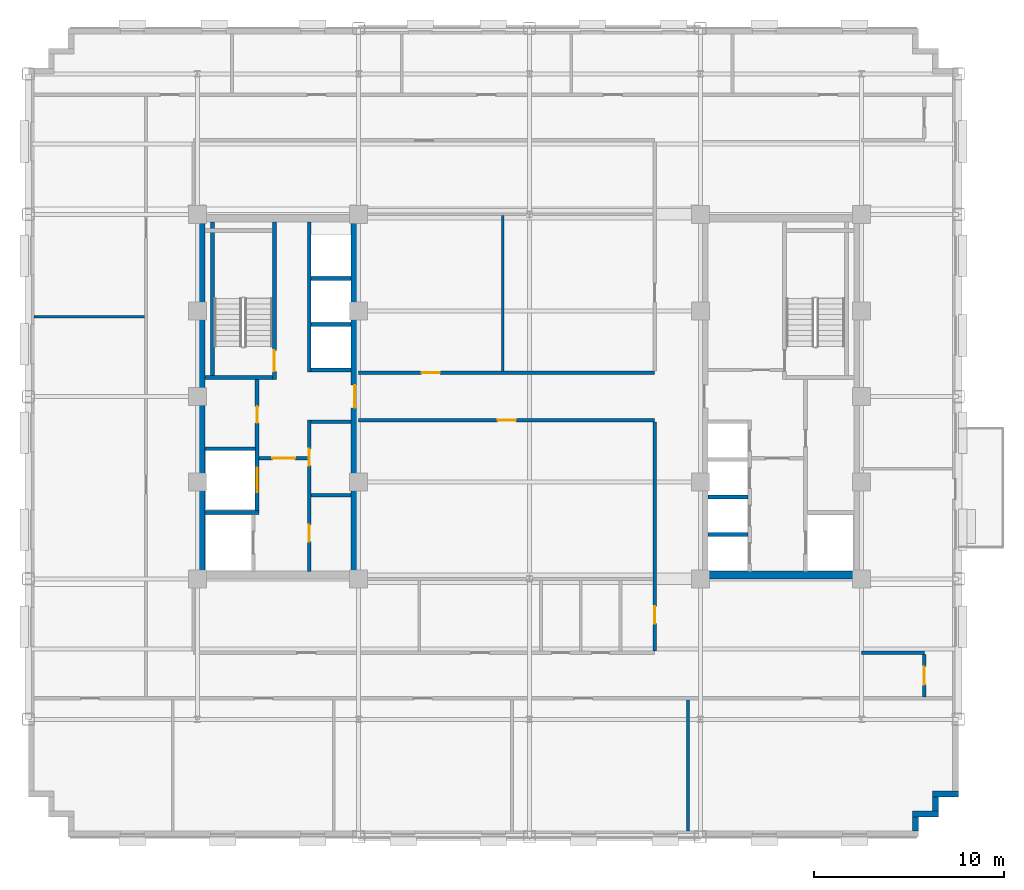
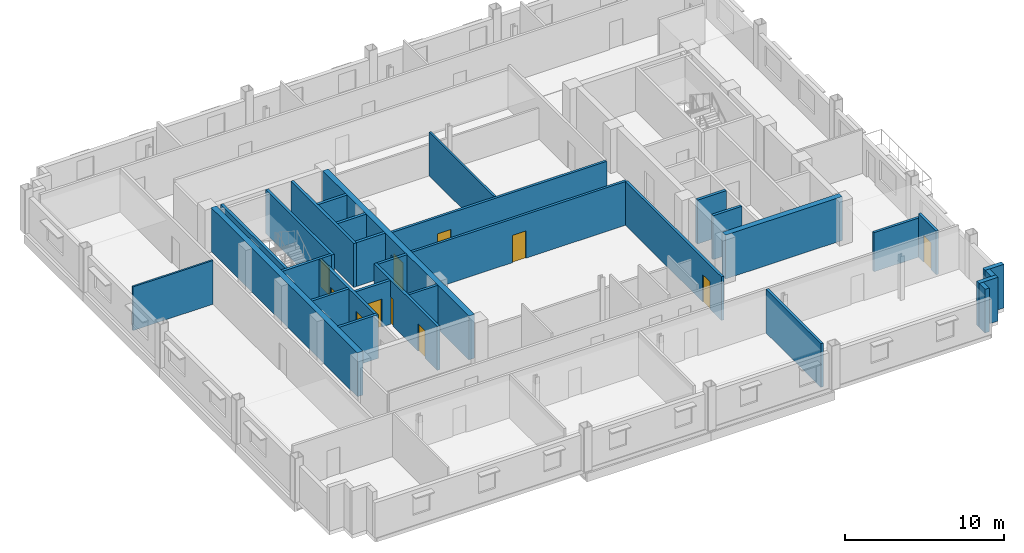
# One storey, part 8 of 14: 31 walls, 11 doors, 11 openings.
"""IFC4 building model written with IfcOpenShell, lengths in metres."""

from ifc_helpers import new_model, si_unit, direction, frame, frame_2d, origin, place, context, subcontext, project, spatial, rectangle, extrude, source, transform, mapped, material, layer, layer_set, type_object, type_shapes, element, fill, save


model = new_model("IFC4")

# Units and contexts
model_context = context("Model", 3, precision=1e-05, world=origin(), true_north=direction((0.0, 1.0)))
body_context = subcontext(model_context, "Body", "Model", "MODEL_VIEW")
ifc_project = project(units=[si_unit("LENGTHUNIT", "METRE"), si_unit("AREAUNIT", "SQUARE_METRE"), si_unit("VOLUMEUNIT", "CUBIC_METRE"), si_unit("PLANEANGLEUNIT", "RADIAN"), si_unit("MASSUNIT", "GRAM", prefix="KILO")], contexts=[model_context])

# Site, building, storey
site_placement = place(None, origin())
site = spatial("IfcSite", under=ifc_project, at=site_placement, CompositionType="ELEMENT")
building_placement = place(site_placement, origin())
building = spatial("IfcBuilding", under=site, at=building_placement, Name="Nuvemarco Arch Tower", CompositionType="ELEMENT")
storey_placement = place(building_placement, frame((0.0, 0.0, 178.60009765625)))
storey = spatial("IfcBuildingStorey", under=building, at=storey_placement, Name="L47", CompositionType="ELEMENT", Elevation=178.60009765625)

# Walls
ifc_material_1 = material(Name="Precast concrete C45/55", Category="concrete")
ifc_layer_1 = layer(ifc_material_1, 0.31005859375, Name="EW-UPP-310")
ifc_layer_set_1 = layer_set([ifc_layer_1], Name="Precast concrete C45/55")
wall_type_1 = type_object("IfcWallType", Name="EW-UPP-310", PredefinedType="STANDARD", material=ifc_layer_set_1)
wall_1_placement = place(storey_placement, frame((20.344970703125, -22.89404296875, 0.0), z_axis=(0.0, 0.0, 1.0), x_axis=(0.0, 1.0, 0.0)))
element("IfcWall", 1, at=wall_1_placement, inside=storey, type_object=wall_type_1, Name="L47 exterior precast facade wall 2", PredefinedType="STANDARD", context=body_context, shape_type="SweptSolid", body=[
    extrude(rectangle(XDim=0.748046875, YDim=0.31005859375, at=frame_2d((0.3740234375, 0.0))), origin(), (0.0, 0.0, 1.0), 3.35986328125),
])
wall_2_placement = place(storey_placement, frame((20.18994140625, -21.9951171875, 0.0), z_axis=(0.0, 0.0, 1.0), x_axis=(1.0, 0.0, 0.0)))
element("IfcWall", 2, at=wall_2_placement, inside=storey, type_object=wall_type_1, Name="L47 exterior precast facade wall 3", PredefinedType="STANDARD", context=body_context, shape_type="SweptSolid", body=[
    extrude(rectangle(XDim=1.360107421875, YDim=0.31005859375, at=frame_2d((0.68017578125, 0.0))), origin(), (0.0, 0.0, 1.0), 3.35986328125),
])
wall_3_placement = place(storey_placement, frame((21.39501953125, -21.843994140625, 0.0), z_axis=(0.0, 0.0, 1.0), x_axis=(0.0, 1.0, 0.0)))
element("IfcWall", 3, at=wall_3_placement, inside=storey, type_object=wall_type_1, Name="L47 exterior precast facade wall 4", PredefinedType="STANDARD", context=body_context, shape_type="SweptSolid", body=[
    extrude(rectangle(XDim=0.748046875, YDim=0.31005859375, at=frame_2d((0.3740234375, 0.0))), origin(), (0.0, 0.0, 1.0), 3.35986328125),
])
wall_4_placement = place(storey_placement, frame((21.239990234375, -20.945068359375, 0.0), z_axis=(0.0, 0.0, 1.0), x_axis=(1.0, 0.0, 0.0)))
element("IfcWall", 4, at=wall_4_placement, inside=storey, type_object=wall_type_1, Name="L47 exterior precast facade wall 5", PredefinedType="STANDARD", context=body_context, shape_type="SweptSolid", body=[
    extrude(rectangle(XDim=1.360107421875, YDim=0.31005859375, at=frame_2d((0.68017578125, 0.0))), origin(), (0.0, 0.0, 1.0), 3.35986328125),
])
ifc_material_2 = material(Name="Concrete C60/75", Category="concrete")
ifc_layer_2 = layer(ifc_material_2, 0.39990234375, Name="WL-CORE-400")
ifc_layer_set_2 = layer_set([ifc_layer_2], Name="Concrete C60/75")
wall_type_2 = type_object("IfcWallType", Name="WL-CORE-400", PredefinedType="SHEAR", material=ifc_layer_set_2)
wall_5_placement = place(storey_placement, frame((-17.300048828125, -9.205078125, 0.0), z_axis=(0.0, 0.0, 1.0), x_axis=(0.0, 1.0, 0.0)))
element("IfcWall", 5, at=wall_5_placement, inside=storey, type_object=wall_type_2, Name="L47 W-core shear wall W", PredefinedType="SHEAR", context=body_context, shape_type="SweptSolid", body=[
    extrude(rectangle(XDim=18.41015625, YDim=0.39990234375, at=frame_2d((9.205078125, 0.0))), origin(), (0.0, 0.0, 1.0), 3.369873046875),
])

# Wall, opening, door
wall_6_placement = place(storey_placement, frame((-9.199951171875, -9.205078125, 0.0), z_axis=(0.0, 0.0, 1.0), x_axis=(0.0, 1.0, 0.0)))
wall_6 = element("IfcWall", 6, at=wall_6_placement, inside=storey, type_object=wall_type_2, Name="L47 W-core shear wall E", PredefinedType="SHEAR", context=body_context, shape_type="SweptSolid", body=[
    extrude(rectangle(XDim=18.41015625, YDim=0.39990234375, at=frame_2d((9.205078125, 0.0))), origin(), (0.0, 0.0, 1.0), 3.369873046875),
])
opening_1_placement = place(wall_6_placement, frame((8.60498046875, 0.0, 0.0)))
opening_1 = element("IfcOpeningElement", 7, at=opening_1_placement, cuts=wall_6, Name="Opening FD-2", PredefinedType="OPENING", context=body_context, shape_type="SweptSolid", body=[
    extrude(rectangle(XDim=1.199951171875, YDim=2.14990234375, at=frame_2d((0.60009765625, 1.074951171875))), frame((0.0, 0.2099609375, 0.0), z_axis=(0.0, -1.0, 0.0), x_axis=(1.0, 0.0, 0.0)), (0.0, 0.0, 1.0), 0.419921875),
])
ifc_material_3 = material(Name="Anodised steel fire door", Category="steel")
door_type_1 = type_object("IfcDoorType", Name="DR-FFLOB-FD", OperationType="NOTDEFINED", PredefinedType="DOOR", material=ifc_material_3)
shared_shape_1 = source(origin(), body_context, "Body", "SweptSolid", [
    extrude(rectangle(XDim=1.199951171875, YDim=2.14990234375, at=frame_2d((0.60009765625, 1.074951171875))), frame((0.0, 0.02490234375, 0.0), z_axis=(0.0, -1.0, 0.0), x_axis=(1.0, 0.0, 0.0)), (0.0, 0.0, 1.0), 0.050048828125),
])
type_shapes(door_type_1, [shared_shape_1])
door_1_placement = place(opening_1_placement, origin())
door_1 = element("IfcDoor", 8, at=door_1_placement, inside=storey, type_object=door_type_1, Name="L47 door FD-L47-WCORE-E", OperationType="SINGLE_SWING_LEFT", OverallHeight=2.14990234375, OverallWidth=1.199951171875, PredefinedType="DOOR", context=body_context, shape_type="MappedRepresentation", body=[
    mapped(shared_shape_1, transform((0.0, 0.0, 0.0), scale=1.0)),
])
fill(opening_1, door_1)

# Walls
wall_7_placement = place(storey_placement, frame((9.0, -9.39990234375, 0.0), z_axis=(0.0, 0.0, 1.0), x_axis=(1.0, 0.0, 0.0)))
element("IfcWall", 9, at=wall_7_placement, inside=storey, type_object=wall_type_2, Name="L47 E-core shear wall S", PredefinedType="SHEAR", context=body_context, shape_type="SweptSolid", body=[
    extrude(rectangle(XDim=8.5, YDim=0.39990234375, at=frame_2d((4.25, 0.0))), origin(), (0.0, 0.0, 1.0), 3.369873046875),
])
ifc_material_4 = material(Name="Fire-rated gypsum drywall partition")
ifc_layer_3 = layer(ifc_material_4, 0.179931640625, Name="WL-CORR-180")
ifc_layer_set_3 = layer_set([ifc_layer_3], Name="Fire-rated gypsum drywall partition")
wall_type_3 = type_object("IfcWallType", Name="WL-CORR-180", PredefinedType="PARTITIONING", material=ifc_layer_set_3)
wall_8_placement = place(storey_placement, frame((-11.5048828125, -5.199951171875, 0.0), z_axis=(0.0, 0.0, 1.0), x_axis=(1.0, 0.0, 0.0)))
element("IfcWall", 10, at=wall_8_placement, inside=storey, type_object=wall_type_3, Name="L47 interior wall IW-L47-W-RECK1", PredefinedType="PARTITIONING", context=body_context, shape_type="SweptSolid", body=[
    extrude(rectangle(XDim=2.10986328125, YDim=0.179931640625, at=frame_2d((1.054931640625, 0.0))), origin(), (0.0, 0.0, 1.0), 3.35986328125),
])
wall_9_placement = place(storey_placement, frame((17.5, -13.5, 0.0), z_axis=(0.0, 0.0, 1.0), x_axis=(1.0, 0.0, 0.0)))
element("IfcWall", 11, at=wall_9_placement, inside=storey, type_object=wall_type_3, Name="L47 interior wall IW-L47-003", PredefinedType="PARTITIONING", context=body_context, shape_type="SweptSolid", body=[
    extrude(rectangle(XDim=3.300048828125, YDim=0.179931640625, at=frame_2d((1.64990234375, 0.0))), origin(), (0.0, 0.0, 1.0), 3.0078125),
])

# Wall, opening, door
wall_10_placement = place(storey_placement, frame((-9.0, -1.25, 0.0), z_axis=(0.0, 0.0, 1.0), x_axis=(1.0, 0.0, 0.0)))
wall_10 = element("IfcWall", 12, at=wall_10_placement, inside=storey, type_object=wall_type_3, Name="L47 interior wall IW-L47-007", PredefinedType="PARTITIONING", context=body_context, shape_type="SweptSolid", body=[
    extrude(rectangle(XDim=15.60009765625, YDim=0.179931640625, at=frame_2d((7.800048828125, 0.0))), origin(), (0.0, 0.0, 1.0), 3.35986328125),
])
opening_2_placement = place(wall_10_placement, frame((7.320068359375, 0.0, 0.0)))
opening_2 = element("IfcOpeningElement", 13, at=opening_2_placement, cuts=wall_10, Name="Opening FD-5", PredefinedType="OPENING", context=body_context, shape_type="SweptSolid", body=[
    extrude(rectangle(XDim=0.9599609375, YDim=2.10009765625, at=frame_2d((0.47998046875, 1.050048828125))), frame((0.0, 0.099853515625, 0.0), z_axis=(0.0, -1.0, 0.0), x_axis=(1.0, 0.0, 0.0)), (0.0, 0.0, 1.0), 0.199951171875),
])
ifc_material_5 = material(Name="Timber fire door", Category="wood")
door_type_2 = type_object("IfcDoorType", Name="DR-CORR-FD", OperationType="NOTDEFINED", PredefinedType="DOOR", material=ifc_material_5)
shared_shape_2 = source(origin(), body_context, "Body", "SweptSolid", [
    extrude(rectangle(XDim=0.9599609375, YDim=2.10009765625, at=frame_2d((0.47998046875, 1.050048828125))), frame((0.0, 0.02490234375, 0.0), z_axis=(0.0, -1.0, 0.0), x_axis=(1.0, 0.0, 0.0)), (0.0, 0.0, 1.0), 0.050048828125),
])
type_shapes(door_type_2, [shared_shape_2])
door_2_placement = place(opening_2_placement, origin())
door_2 = element("IfcDoor", 14, at=door_2_placement, inside=storey, type_object=door_type_2, Name="L47 door DR-L47-C_S1", OperationType="SINGLE_SWING_RIGHT", OverallHeight=2.10009765625, OverallWidth=0.9599609375, PredefinedType="DOOR", context=body_context, shape_type="MappedRepresentation", body=[
    mapped(shared_shape_2, transform((0.0, 0.0, 0.0), scale=1.0)),
])
fill(opening_2, door_2)

wall_11_placement = place(storey_placement, frame((-9.0, 1.25, 0.0), z_axis=(0.0, 0.0, 1.0), x_axis=(1.0, 0.0, 0.0)))
wall_11 = element("IfcWall", 15, at=wall_11_placement, inside=storey, type_object=wall_type_3, Name="L47 interior wall IW-L47-008", PredefinedType="PARTITIONING", context=body_context, shape_type="SweptSolid", body=[
    extrude(rectangle(XDim=15.60009765625, YDim=0.179931640625, at=frame_2d((7.800048828125, 0.0))), origin(), (0.0, 0.0, 1.0), 3.35986328125),
])
opening_3_placement = place(wall_11_placement, frame((3.320068359375, 0.0, 0.0)))
opening_3 = element("IfcOpeningElement", 16, at=opening_3_placement, cuts=wall_11, Name="Opening FD-5", PredefinedType="OPENING", context=body_context, shape_type="SweptSolid", body=[
    extrude(rectangle(XDim=0.9599609375, YDim=2.10009765625, at=frame_2d((0.47998046875, 1.050048828125))), frame((0.0, 0.099853515625, 0.0), z_axis=(0.0, -1.0, 0.0), x_axis=(1.0, 0.0, 0.0)), (0.0, 0.0, 1.0), 0.199951171875),
])
door_3_placement = place(opening_3_placement, origin())
door_3 = element("IfcDoor", 17, at=door_3_placement, inside=storey, type_object=door_type_2, Name="L47 door DR-L47-C_N1", OperationType="SINGLE_SWING_LEFT", OverallHeight=2.10009765625, OverallWidth=0.9599609375, PredefinedType="DOOR", context=body_context, shape_type="MappedRepresentation", body=[
    mapped(shared_shape_2, transform((0.0, 0.0, 0.0), scale=1.0)),
])
fill(opening_3, door_3)

wall_12_placement = place(storey_placement, frame((6.60009765625, -13.4140625, 0.0), z_axis=(0.0, 0.0, 1.0), x_axis=(0.0, 1.0, 0.0)))
wall_12 = element("IfcWall", 18, at=wall_12_placement, inside=storey, type_object=wall_type_3, Name="L47 interior wall IW-L47-029", PredefinedType="PARTITIONING", context=body_context, shape_type="SweptSolid", body=[
    extrude(rectangle(XDim=12.078125, YDim=0.179931640625, at=frame_2d((6.0390625, 0.0))), origin(), (0.0, 0.0, 1.0), 3.35986328125),
])
opening_4_placement = place(wall_12_placement, frame((1.45703125, 0.0, 0.0)))
opening_4 = element("IfcOpeningElement", 19, at=opening_4_placement, cuts=wall_12, Name="Opening ID-3", PredefinedType="OPENING", context=body_context, shape_type="SweptSolid", body=[
    extrude(rectangle(XDim=0.89990234375, YDim=2.10009765625, at=frame_2d((0.449951171875, 1.050048828125))), frame((0.0, 0.099853515625, 0.0), z_axis=(0.0, -1.0, 0.0), x_axis=(1.0, 0.0, 0.0)), (0.0, 0.0, 1.0), 0.199951171875),
])
ifc_material_6 = material(Name="Veneered oak timber fire door", Category="wood")
door_type_3 = type_object("IfcDoorType", Name="DR-WC-ACC", OperationType="NOTDEFINED", PredefinedType="DOOR", material=ifc_material_6)
shared_shape_3 = source(origin(), body_context, "Body", "SweptSolid", [
    extrude(rectangle(XDim=0.89990234375, YDim=2.10009765625, at=frame_2d((0.449951171875, 1.050048828125))), frame((0.0, 0.02490234375, 0.0), z_axis=(0.0, -1.0, 0.0), x_axis=(1.0, 0.0, 0.0)), (0.0, 0.0, 1.0), 0.050048828125),
])
type_shapes(door_type_3, [shared_shape_3])
door_4_placement = place(opening_4_placement, origin())
door_4 = element("IfcDoor", 20, at=door_4_placement, inside=storey, type_object=door_type_3, Name="L47 door DR-L47-WC_ACC", OperationType="SINGLE_SWING_RIGHT", OverallHeight=2.10009765625, OverallWidth=0.89990234375, PredefinedType="DOOR", context=body_context, shape_type="MappedRepresentation", body=[
    mapped(shared_shape_3, transform((0.0, 0.0, 0.0), scale=1.0)),
])
fill(opening_4, door_4)

# Wall
wall_13_placement = place(storey_placement, frame((8.35009765625, -22.889892578125, 0.0), z_axis=(0.0, 0.0, 1.0), x_axis=(0.0, 1.0, 0.0)))
element("IfcWall", 21, at=wall_13_placement, inside=storey, type_object=wall_type_3, Name="L47 interior wall IW-L47-031", PredefinedType="PARTITIONING", context=body_context, shape_type="SweptSolid", body=[
    extrude(rectangle(XDim=6.90380859375, YDim=0.179931640625, at=frame_2d((3.451904296875, 0.0))), origin(), (0.0, 0.0, 1.0), 3.35986328125),
])

# Wall, opening, door
wall_14_placement = place(storey_placement, frame((20.800048828125, -15.81396484375, 0.0), z_axis=(0.0, 0.0, 1.0), x_axis=(0.0, 1.0, 0.0)))
wall_14 = element("IfcWall", 22, at=wall_14_placement, inside=storey, type_object=wall_type_3, Name="L47 interior wall IW-L47-033", PredefinedType="PARTITIONING", context=body_context, shape_type="SweptSolid", body=[
    extrude(rectangle(XDim=2.22802734375, YDim=0.179931640625, at=frame_2d((1.114013671875, 0.0))), origin(), (0.0, 0.0, 1.0), 3.35986328125),
])
opening_5_placement = place(wall_14_placement, frame((0.634033203125, 0.0, 0.0)))
opening_5 = element("IfcOpeningElement", 23, at=opening_5_placement, cuts=wall_14, Name="Opening FD-5", PredefinedType="OPENING", context=body_context, shape_type="SweptSolid", body=[
    extrude(rectangle(XDim=0.9599609375, YDim=2.10009765625, at=frame_2d((0.47998046875, 1.050048828125))), frame((0.0, 0.099853515625, 0.0), z_axis=(0.0, -1.0, 0.0), x_axis=(1.0, 0.0, 0.0)), (0.0, 0.0, 1.0), 0.199951171875),
])
door_5_placement = place(opening_5_placement, origin())
door_5 = element("IfcDoor", 24, at=door_5_placement, inside=storey, type_object=door_type_2, Name="L47 door DR-L47-E_1", OperationType="SINGLE_SWING_RIGHT", OverallHeight=2.10009765625, OverallWidth=0.9599609375, PredefinedType="DOOR", context=body_context, shape_type="MappedRepresentation", body=[
    mapped(shared_shape_2, transform((0.0, 0.0, 0.0), scale=1.0)),
])
fill(opening_5, door_5)

# Walls
ifc_material_7 = material(Name="Glazed acoustic office partition")
ifc_layer_4 = layer(ifc_material_7, 0.1298828125, Name="WL-EXEC-130")
ifc_layer_set_4 = layer_set([ifc_layer_4], Name="Glazed acoustic office partition")
wall_type_4 = type_object("IfcWallType", Name="WL-EXEC-130", PredefinedType="PARTITIONING", material=ifc_layer_set_4)
wall_15_placement = place(storey_placement, frame((-26.090087890625, 4.199951171875, 0.0), z_axis=(0.0, 0.0, 1.0), x_axis=(1.0, 0.0, 0.0)))
element("IfcWall", 25, at=wall_15_placement, inside=storey, type_object=wall_type_4, Name="L47 interior wall IW-L47-009", PredefinedType="PARTITIONING", context=body_context, shape_type="SweptSolid", body=[
    extrude(rectangle(XDim=5.80419921875, YDim=0.1298828125, at=frame_2d((2.902099609375, 0.0))), origin(), (0.0, 0.0, 1.0), 3.35986328125),
])
ifc_material_8 = material(Name="Gypsum plasterboard partition")
ifc_layer_5 = layer(ifc_material_8, 0.139892578125, Name="WL-ROOM-140")
ifc_layer_set_5 = layer_set([ifc_layer_5], Name="Gypsum plasterboard partition")
wall_type_5 = type_object("IfcWallType", Name="WL-ROOM-140", PredefinedType="PARTITIONING", material=ifc_layer_set_5)
wall_16_placement = place(storey_placement, frame((-1.39990234375, 1.3359375, 0.0), z_axis=(0.0, 0.0, 1.0), x_axis=(0.0, 1.0, 0.0)))
element("IfcWall", 26, at=wall_16_placement, inside=storey, type_object=wall_type_5, Name="L47 interior wall IW-L47-023", PredefinedType="PARTITIONING", context=body_context, shape_type="SweptSolid", body=[
    extrude(rectangle(XDim=8.197998046875, YDim=0.139892578125, at=frame_2d((4.09912109375, 0.0))), origin(), (0.0, 0.0, 1.0), 3.35986328125),
])

# Wall, opening, door
ifc_material_9 = material(Name="Concrete C50/60", Category="concrete")
ifc_layer_6 = layer(ifc_material_9, 0.199951171875, Name="WL-SHAFT-220")
ifc_layer_set_6 = layer_set([ifc_layer_6], Name="Concrete C50/60")
wall_type_6 = type_object("IfcWallType", Name="WL-SHAFT-220", PredefinedType="SHEAR", material=ifc_layer_set_6)
wall_17_placement = place(storey_placement, frame((-13.43994140625, 0.89990234375, 0.0), z_axis=(0.0, 0.0, 1.0), x_axis=(0.0, 1.0, 0.0)))
wall_17 = element("IfcWall", 27, at=wall_17_placement, inside=storey, type_object=wall_type_6, Name="L47 structural shaft wall SW-L47-W-ST1E", PredefinedType="SHEAR", context=body_context, shape_type="SweptSolid", body=[
    extrude(rectangle(XDim=8.30517578125, YDim=0.199951171875, at=frame_2d((4.152587890625, 0.0))), origin(), (0.0, 0.0, 1.0), 3.369873046875),
])
opening_6_placement = place(wall_17_placement, frame((1.530029296875, 0.0, 0.0), z_axis=(0.0, 0.0, 1.0), x_axis=(-1.0, 0.0, 0.0)))
opening_6 = element("IfcOpeningElement", 28, at=opening_6_placement, cuts=wall_17, Name="Opening FD-1", PredefinedType="OPENING", context=body_context, shape_type="SweptSolid", body=[
    extrude(rectangle(XDim=1.10009765625, YDim=2.14990234375, at=frame_2d((0.550048828125, 1.074951171875))), frame((0.0, 0.10986328125, 0.0), z_axis=(0.0, -1.0, 0.0), x_axis=(1.0, 0.0, 0.0)), (0.0, 0.0, 1.0), 0.219970703125),
])
door_type_4 = type_object("IfcDoorType", Name="DR-STAIR-FD", OperationType="NOTDEFINED", PredefinedType="DOOR", material=ifc_material_3)
shared_shape_4 = source(origin(), body_context, "Body", "SweptSolid", [
    extrude(rectangle(XDim=1.10009765625, YDim=2.14990234375, at=frame_2d((0.550048828125, 1.074951171875))), frame((0.0, 0.02490234375, 0.0), z_axis=(0.0, -1.0, 0.0), x_axis=(1.0, 0.0, 0.0)), (0.0, 0.0, 1.0), 0.050048828125),
])
type_shapes(door_type_4, [shared_shape_4])
door_6_placement = place(opening_6_placement, origin())
door_6 = element("IfcDoor", 29, at=door_6_placement, inside=storey, type_object=door_type_4, Name="L47 door FD-L47-ST1", OperationType="SINGLE_SWING_LEFT", OverallHeight=2.14990234375, OverallWidth=1.10009765625, PredefinedType="DOOR", context=body_context, shape_type="MappedRepresentation", body=[
    mapped(shared_shape_4, transform((0.0, 0.0, 0.0), scale=1.0)),
])
fill(opening_6, door_6)

# Walls
wall_18_placement = place(storey_placement, frame((-17.10498046875, 1.0, 0.0), z_axis=(0.0, 0.0, 1.0), x_axis=(1.0, 0.0, 0.0)))
element("IfcWall", 30, at=wall_18_placement, inside=storey, type_object=wall_type_6, Name="L47 structural shaft wall SW-L47-W-ST1S", PredefinedType="SHEAR", context=body_context, shape_type="SweptSolid", body=[
    extrude(rectangle(XDim=3.570068359375, YDim=0.199951171875, at=frame_2d((1.78515625, 0.0))), origin(), (0.0, 0.0, 1.0), 3.369873046875),
])
wall_19_placement = place(storey_placement, frame((-16.699951171875, 1.094970703125, 0.0), z_axis=(0.0, 0.0, 1.0), x_axis=(0.0, 1.0, 0.0)))
element("IfcWall", 31, at=wall_19_placement, inside=storey, type_object=wall_type_6, Name="L47 structural shaft wall SW-L47-W-ST1W", PredefinedType="SHEAR", context=body_context, shape_type="SweptSolid", body=[
    extrude(rectangle(XDim=8.110107421875, YDim=0.199951171875, at=frame_2d((4.05517578125, 0.0))), origin(), (0.0, 0.0, 1.0), 3.369873046875),
])

# Wall, openings, doors
wall_20_placement = place(storey_placement, frame((-14.35009765625, -6.199951171875, 0.0), z_axis=(0.0, 0.0, 1.0), x_axis=(0.0, 1.0, 0.0)))
wall_20 = element("IfcWall", 32, at=wall_20_placement, inside=storey, type_object=wall_type_6, Name="L47 structural shaft wall SW-L47-W-SVE", PredefinedType="SHEAR", context=body_context, shape_type="SweptSolid", body=[
    extrude(rectangle(XDim=7.10498046875, YDim=0.199951171875, at=frame_2d((3.552490234375, 0.0))), origin(), (0.0, 0.0, 1.0), 3.369873046875),
])
opening_7_placement = place(wall_20_placement, frame((5.68994140625, 0.0, 0.0), z_axis=(0.0, 0.0, 1.0), x_axis=(-1.0, 0.0, 0.0)))
opening_7 = element("IfcOpeningElement", 33, at=opening_7_placement, cuts=wall_20, Name="Opening FD-4", PredefinedType="OPENING", context=body_context, shape_type="SweptSolid", body=[
    extrude(rectangle(XDim=0.8798828125, YDim=2.10009765625, at=frame_2d((0.43994140625, 1.050048828125))), frame((0.0, 0.10986328125, 0.0), z_axis=(0.0, -1.0, 0.0), x_axis=(1.0, 0.0, 0.0)), (0.0, 0.0, 1.0), 0.219970703125),
])
opening_8_placement = place(wall_20_placement, frame((1.14990234375, 0.0, 0.0)))
opening_8 = element("IfcOpeningElement", 34, at=opening_8_placement, cuts=wall_20, Name="Opening LD-3", PredefinedType="OPENING", context=body_context, shape_type="SweptSolid", body=[
    extrude(rectangle(XDim=1.300048828125, YDim=2.199951171875, at=frame_2d((0.64990234375, 1.10009765625))), frame((0.0, 0.10986328125, 0.0), z_axis=(0.0, -1.0, 0.0), x_axis=(1.0, 0.0, 0.0)), (0.0, 0.0, 1.0), 0.219970703125),
])
door_type_5 = type_object("IfcDoorType", Name="DR-RISER-FD", OperationType="NOTDEFINED", PredefinedType="DOOR", material=ifc_material_3)
shared_shape_5 = source(origin(), body_context, "Body", "SweptSolid", [
    extrude(rectangle(XDim=0.8798828125, YDim=2.10009765625, at=frame_2d((0.43994140625, 1.050048828125))), frame((0.0, 0.02490234375, 0.0), z_axis=(0.0, -1.0, 0.0), x_axis=(1.0, 0.0, 0.0)), (0.0, 0.0, 1.0), 0.050048828125),
])
type_shapes(door_type_5, [shared_shape_5])
door_7_placement = place(opening_7_placement, origin())
door_7 = element("IfcDoor", 35, at=door_7_placement, inside=storey, type_object=door_type_5, Name="L47 door FD-L47-WRIS", OperationType="SINGLE_SWING_LEFT", OverallHeight=2.10009765625, OverallWidth=0.8798828125, PredefinedType="DOOR", context=body_context, shape_type="MappedRepresentation", body=[
    mapped(shared_shape_5, transform((0.0, 0.0, 0.0), scale=1.0)),
])
fill(opening_7, door_7)
ifc_material_10 = material(Name="Stainless steel lift door", Category="steel")
door_type_6 = type_object("IfcDoorType", Name="DR-LIFT-SERV", OperationType="DOUBLE_DOOR_SLIDING", PredefinedType="DOOR", material=ifc_material_10)
shared_shape_6 = source(origin(), body_context, "Body", "SweptSolid", [
    extrude(rectangle(XDim=1.300048828125, YDim=2.199951171875, at=frame_2d((0.64990234375, 1.10009765625))), frame((0.0, 0.02490234375, 0.0), z_axis=(0.0, -1.0, 0.0), x_axis=(1.0, 0.0, 0.0)), (0.0, 0.0, 1.0), 0.050048828125),
])
type_shapes(door_type_6, [shared_shape_6])
door_8_placement = place(opening_8_placement, origin())
door_8 = element("IfcDoor", 36, at=door_8_placement, inside=storey, type_object=door_type_6, Name="L47 Lift landing sliding door SVL-1", OperationType="DOUBLE_DOOR_SLIDING", OverallHeight=2.199951171875, OverallWidth=1.300048828125, PredefinedType="DOOR", context=body_context, shape_type="MappedRepresentation", body=[
    mapped(shared_shape_6, transform((0.0, 0.0, 0.0), scale=1.0)),
])
fill(opening_8, door_8)

# Walls
wall_21_placement = place(storey_placement, frame((-17.10498046875, -6.10009765625, 0.0), z_axis=(0.0, 0.0, 1.0), x_axis=(1.0, 0.0, 0.0)))
element("IfcWall", 37, at=wall_21_placement, inside=storey, type_object=wall_type_6, Name="L47 structural shaft wall SW-L47-W-SH1", PredefinedType="SHEAR", context=body_context, shape_type="SweptSolid", body=[
    extrude(rectangle(XDim=2.85498046875, YDim=0.199951171875, at=frame_2d((1.427490234375, 0.0))), origin(), (0.0, 0.0, 1.0), 3.369873046875),
])
wall_22_placement = place(storey_placement, frame((-17.10498046875, -2.75, 0.0), z_axis=(0.0, 0.0, 1.0), x_axis=(1.0, 0.0, 0.0)))
element("IfcWall", 38, at=wall_22_placement, inside=storey, type_object=wall_type_6, Name="L47 structural shaft wall SW-L47-W-SH2", PredefinedType="SHEAR", context=body_context, shape_type="SweptSolid", body=[
    extrude(rectangle(XDim=2.659912109375, YDim=0.199951171875, at=frame_2d((1.330078125, 0.0))), origin(), (0.0, 0.0, 1.0), 3.369873046875),
])

# Wall, openings, doors
wall_23_placement = place(storey_placement, frame((-11.60009765625, -9.205078125, 0.0), z_axis=(0.0, 0.0, 1.0), x_axis=(0.0, 1.0, 0.0)))
wall_23 = element("IfcWall", 39, at=wall_23_placement, inside=storey, type_object=wall_type_6, Name="L47 structural shaft wall SW-L47-W-PLW", PredefinedType="SHEAR", context=body_context, shape_type="SweptSolid", body=[
    extrude(rectangle(XDim=7.97509765625, YDim=0.199951171875, at=frame_2d((3.987548828125, 0.0))), origin(), (0.0, 0.0, 1.0), 3.369873046875),
])
opening_9_placement = place(wall_23_placement, frame((1.56494140625, 0.0, 0.0)))
opening_9 = element("IfcOpeningElement", 40, at=opening_9_placement, cuts=wall_23, Name="Opening FD-4", PredefinedType="OPENING", context=body_context, shape_type="SweptSolid", body=[
    extrude(rectangle(XDim=0.8798828125, YDim=2.10009765625, at=frame_2d((0.43994140625, 1.050048828125))), frame((0.0, 0.10986328125, 0.0), z_axis=(0.0, -1.0, 0.0), x_axis=(1.0, 0.0, 0.0)), (0.0, 0.0, 1.0), 0.219970703125),
])
opening_10_placement = place(wall_23_placement, frame((5.56494140625, 0.0, 0.0)))
opening_10 = element("IfcOpeningElement", 41, at=opening_10_placement, cuts=wall_23, Name="Opening FD-4", PredefinedType="OPENING", context=body_context, shape_type="SweptSolid", body=[
    extrude(rectangle(XDim=0.8798828125, YDim=2.10009765625, at=frame_2d((0.43994140625, 1.050048828125))), frame((0.0, 0.10986328125, 0.0), z_axis=(0.0, -1.0, 0.0), x_axis=(1.0, 0.0, 0.0)), (0.0, 0.0, 1.0), 0.219970703125),
])
door_9_placement = place(opening_9_placement, origin())
door_9 = element("IfcDoor", 42, at=door_9_placement, inside=storey, type_object=door_type_5, Name="L47 door FD-L47-WREC1", OperationType="SINGLE_SWING_LEFT", OverallHeight=2.10009765625, OverallWidth=0.8798828125, PredefinedType="DOOR", context=body_context, shape_type="MappedRepresentation", body=[
    mapped(shared_shape_5, transform((0.0, 0.0, 0.0), scale=1.0)),
])
fill(opening_9, door_9)
door_10_placement = place(opening_10_placement, origin())
door_10 = element("IfcDoor", 43, at=door_10_placement, inside=storey, type_object=door_type_5, Name="L47 door FD-L47-WREC2", OperationType="SINGLE_SWING_RIGHT", OverallHeight=2.10009765625, OverallWidth=0.8798828125, PredefinedType="DOOR", context=body_context, shape_type="MappedRepresentation", body=[
    mapped(shared_shape_5, transform((0.0, 0.0, 0.0), scale=1.0)),
])
fill(opening_10, door_10)

# Wall, opening, door
wall_24_placement = place(storey_placement, frame((-14.2548828125, -3.25, 0.0), z_axis=(0.0, 0.0, 1.0), x_axis=(1.0, 0.0, 0.0)))
wall_24 = element("IfcWall", 44, at=wall_24_placement, inside=storey, type_object=wall_type_6, Name="L47 structural shaft wall SW-L47-W-FFN", PredefinedType="SHEAR", context=body_context, shape_type="SweptSolid", body=[
    extrude(rectangle(XDim=2.559814453125, YDim=0.199951171875, at=frame_2d((1.27978515625, 0.0))), origin(), (0.0, 0.0, 1.0), 3.369873046875),
])
opening_11_placement = place(wall_24_placement, frame((0.705078125, 0.0, 0.0)))
opening_11 = element("IfcOpeningElement", 45, at=opening_11_placement, cuts=wall_24, Name="Opening FD-2", PredefinedType="OPENING", context=body_context, shape_type="SweptSolid", body=[
    extrude(rectangle(XDim=1.199951171875, YDim=2.14990234375, at=frame_2d((0.60009765625, 1.074951171875))), frame((0.0, 0.10986328125, 0.0), z_axis=(0.0, -1.0, 0.0), x_axis=(1.0, 0.0, 0.0)), (0.0, 0.0, 1.0), 0.219970703125),
])
door_11_placement = place(opening_11_placement, origin())
door_11 = element("IfcDoor", 46, at=door_11_placement, inside=storey, type_object=door_type_1, Name="L47 door FD-L47-WFF1", OperationType="SINGLE_SWING_LEFT", OverallHeight=2.14990234375, OverallWidth=1.199951171875, PredefinedType="DOOR", context=body_context, shape_type="MappedRepresentation", body=[
    mapped(shared_shape_1, transform((0.0, 0.0, 0.0), scale=1.0)),
])
fill(opening_11, door_11)

# Walls
wall_25_placement = place(storey_placement, frame((-11.5048828125, -1.330078125, 0.0), z_axis=(0.0, 0.0, 1.0), x_axis=(1.0, 0.0, 0.0)))
element("IfcWall", 47, at=wall_25_placement, inside=storey, type_object=wall_type_6, Name="L47 structural shaft wall SW-L47-W-PLTOP", PredefinedType="SHEAR", context=body_context, shape_type="SweptSolid", body=[
    extrude(rectangle(XDim=2.10986328125, YDim=0.199951171875, at=frame_2d((1.054931640625, 0.0))), origin(), (0.0, 0.0, 1.0), 3.369873046875),
])
wall_26_placement = place(storey_placement, frame((-11.60009765625, 1.300048828125, 0.0), z_axis=(0.0, 0.0, 1.0), x_axis=(0.0, 1.0, 0.0)))
element("IfcWall", 48, at=wall_26_placement, inside=storey, type_object=wall_type_6, Name="L47 structural shaft wall SW-L47-W-PHW", PredefinedType="SHEAR", context=body_context, shape_type="SweptSolid", body=[
    extrude(rectangle(XDim=7.905029296875, YDim=0.199951171875, at=frame_2d((3.95263671875, 0.0))), origin(), (0.0, 0.0, 1.0), 3.369873046875),
])
for number, where, z_axis, x_axis, name in (
    (49, (-11.5048828125, 1.39990234375, 0.0), (0.0, 0.0, 1.0), (1.0, 0.0, 0.0), "L47 structural shaft wall SW-L47-W-PHD1"),
    (50, (-11.5048828125, 3.800048828125, 0.0), (0.0, 0.0, 1.0), (1.0, 0.0, 0.0), "L47 structural shaft wall SW-L47-W-PHD2"),
    (51, (-11.5048828125, 6.219970703125, 0.0), (0.0, 0.0, 1.0), (1.0, 0.0, 0.0), "L47 structural shaft wall SW-L47-W-PHD3"),
    (52, (9.39501953125, -7.27001953125, 0.0), (0.0, 0.0, 1.0), (1.0, 0.0, 0.0), "L47 structural shaft wall SW-L47-E-PMD1"),
    (53, (9.39501953125, -5.2900390625, 0.0), (0.0, 0.0, 1.0), (1.0, 0.0, 0.0), "L47 structural shaft wall SW-L47-E-PMD2"),
):
    element("IfcWall", number, at=place(storey_placement, frame(where, z_axis=z_axis, x_axis=x_axis)), inside=storey, type_object=wall_type_6, Name=name, PredefinedType="SHEAR", context=body_context, shape_type="SweptSolid", body=[
        extrude(rectangle(XDim=2.10986328125, YDim=0.199951171875, at=frame_2d((1.054931640625, 0.0))), origin(), (0.0, 0.0, 1.0), 3.369873046875),
    ])

save(model, "model.ifc")
